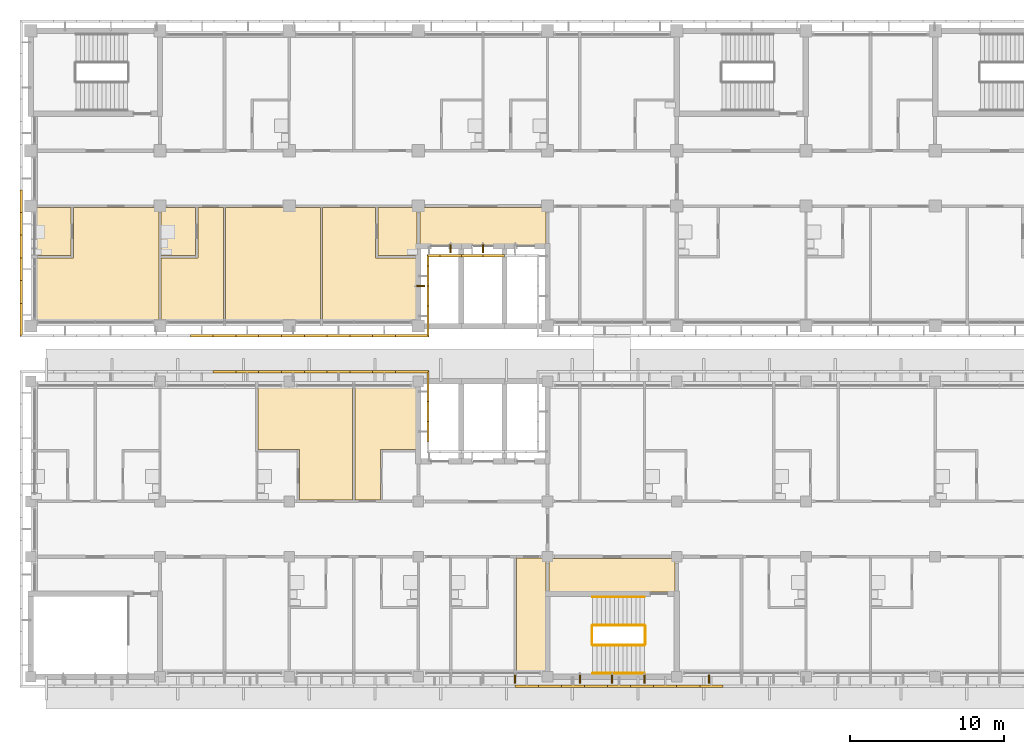
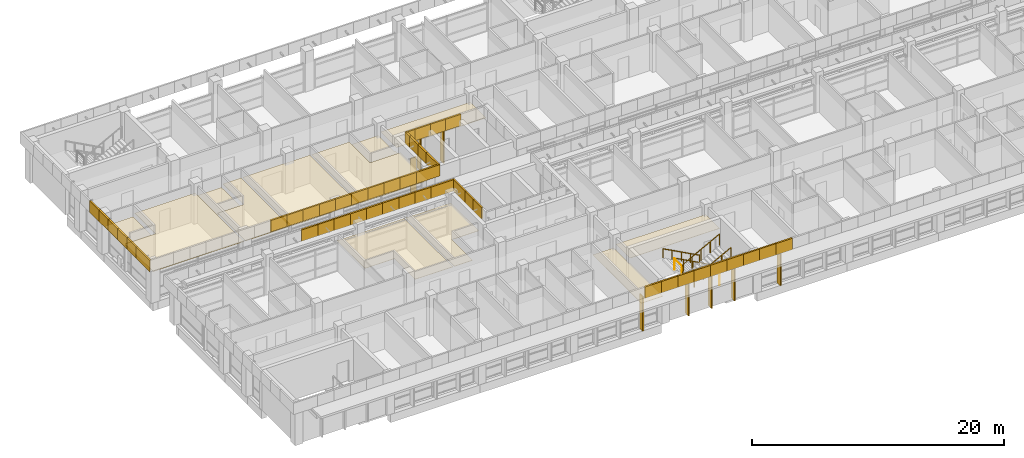
# One storey, part 60 of 71: 57 coverings, 8 shading devices, 6 railings.
"""IFC4 building model written with IfcOpenShell, lengths in metres."""

from ifc_helpers import new_model, si_unit, direction, frame, origin, origin_2d, place, context, subcontext, project, spatial, polyline, rectangle, circle, outline, extrude, material, layer, layer_set, material_profile, profile_set, type_object, element, save


model = new_model("IFC4")

# Units and contexts
model_context = context("Model", 3, precision=1e-05, world=origin(), true_north=direction((0.0, 1.0)))
body_context = subcontext(model_context, "Body", "Model", "MODEL_VIEW")
ifc_project = project(units=[si_unit("LENGTHUNIT", "METRE"), si_unit("AREAUNIT", "SQUARE_METRE"), si_unit("VOLUMEUNIT", "CUBIC_METRE"), si_unit("PLANEANGLEUNIT", "RADIAN"), si_unit("MASSUNIT", "GRAM", prefix="KILO")], contexts=[model_context])

# Site, building, storey
site_placement = place(None, origin())
site = spatial("IfcSite", under=ifc_project, at=site_placement, CompositionType="ELEMENT")
building_placement = place(site_placement, origin())
building = spatial("IfcBuilding", under=site, at=building_placement, Name="Bougainvillea Quay General Hospital", CompositionType="ELEMENT")
storey_placement = place(building_placement, frame((0.0, 0.0, 24.89990234375)))
storey = spatial("IfcBuildingStorey", under=building, at=storey_placement, Name="L05", CompositionType="ELEMENT", Elevation=24.89990234375)

# Coverings
ifc_material_1 = material(Name="Powder-coated aluminium fascia, white", Category="aluminium")
ifc_layer_1 = layer(ifc_material_1, 0.14990234375)
ifc_layer_set_1 = layer_set([ifc_layer_1], Name="Powder-coated aluminium fascia, white")
covering_type_1 = type_object("IfcCoveringType", Name="Aluminium fascia band white 150x1100", PredefinedType="CLADDING", material=ifc_layer_set_1)
covering_1_placement = place(storey_placement, frame((41.449951171875, 149.261474609375, 3.35009765625), z_axis=(0.0, 0.0, 1.0), x_axis=(0.0, -1.0, 0.0)))
element("IfcCovering", 1, at=covering_1_placement, inside=storey, type_object=covering_type_1, Name="Fascia band white e0 104", PredefinedType="CLADDING", context=body_context, shape_type="SweptSolid", body=[
    extrude(outline(polyline([(0.0, 0.0), (1.476806640625, 0.0), (1.476806640625, -0.14990234375), (0.0, -0.14990234375), (0.0, 0.0)])), origin(), (0.0, 0.0, 1.0), 1.10009765625),
])
covering_2_placement = place(storey_placement, frame((41.449951171875, 147.78466796875, 3.35009765625), z_axis=(0.0, 0.0, 1.0), x_axis=(0.0, -1.0, 0.0)))
element("IfcCovering", 2, at=covering_2_placement, inside=storey, type_object=covering_type_1, Name="Fascia band white e0 105", PredefinedType="CLADDING", context=body_context, shape_type="SweptSolid", body=[
    extrude(outline(polyline([(0.0, 0.0), (1.47705078125, 0.0), (1.47705078125, -0.14990234375), (0.0, -0.14990234375), (0.0, 0.0)])), origin(), (0.0, 0.0, 1.0), 1.10009765625),
])
covering_3_placement = place(storey_placement, frame((41.449951171875, 146.3076171875, 3.35009765625), z_axis=(0.0, 0.0, 1.0), x_axis=(0.0, -1.0, 0.0)))
element("IfcCovering", 3, at=covering_3_placement, inside=storey, type_object=covering_type_1, Name="Fascia band white e0 106", PredefinedType="CLADDING", context=body_context, shape_type="SweptSolid", body=[
    extrude(outline(polyline([(0.0, 0.0), (1.476806640625, 0.0), (1.476806640625, -0.14990234375), (0.0, -0.14990234375), (0.0, 0.0)])), origin(), (0.0, 0.0, 1.0), 1.10009765625),
])
covering_4_placement = place(storey_placement, frame((41.449951171875, 144.830810546875, 3.35009765625), z_axis=(0.0, 0.0, 1.0), x_axis=(0.0, -1.0, 0.0)))
element("IfcCovering", 4, at=covering_4_placement, inside=storey, type_object=covering_type_1, Name="Fascia band white e0 107", PredefinedType="CLADDING", context=body_context, shape_type="SweptSolid", body=[
    extrude(outline(polyline([(0.0, 0.0), (1.47705078125, 0.0), (1.47705078125, -0.14990234375), (0.0, -0.14990234375), (0.0, 0.0)])), origin(), (0.0, 0.0, 1.0), 1.10009765625),
])
covering_5_placement = place(storey_placement, frame((41.449951171875, 143.353759765625, 3.35009765625), z_axis=(0.0, 0.0, 1.0), x_axis=(0.0, -1.0, 0.0)))
element("IfcCovering", 5, at=covering_5_placement, inside=storey, type_object=covering_type_1, Name="Fascia band white e0 108", PredefinedType="CLADDING", context=body_context, shape_type="SweptSolid", body=[
    extrude(outline(polyline([(0.0, 0.0), (1.476806640625, 0.0), (1.476806640625, -0.14990234375), (0.0, -0.14990234375), (0.0, 0.0)])), origin(), (0.0, 0.0, 1.0), 1.10009765625),
])
covering_6_placement = place(storey_placement, frame((41.449951171875, 141.876953125, 3.35009765625), z_axis=(0.0, 0.0, 1.0), x_axis=(0.0, -1.0, 0.0)))
element("IfcCovering", 6, at=covering_6_placement, inside=storey, type_object=covering_type_1, Name="Fascia band white e0 109", PredefinedType="CLADDING", context=body_context, shape_type="SweptSolid", body=[
    extrude(outline(polyline([(0.0, 0.0), (2.02685546875, 0.0), (2.177001953125, -0.14990234375), (0.0, -0.14990234375), (0.0, 0.0)])), origin(), (0.0, 0.0, 1.0), 1.10009765625),
])
covering_7_placement = place(storey_placement, frame((52.37646484375, 139.85009765625, 3.35009765625), z_axis=(0.0, 0.0, 1.0), x_axis=(1.0, 0.0, 0.0)))
element("IfcCovering", 7, at=covering_7_placement, inside=storey, type_object=covering_type_1, Name="Fascia band white e0 117", PredefinedType="CLADDING", context=body_context, shape_type="SweptSolid", body=[
    extrude(outline(polyline([(0.0, 0.0), (1.482421875, 0.0), (1.482421875, -0.150146484375), (0.0, -0.150146484375), (0.0, 0.0)])), origin(), (0.0, 0.0, 1.0), 1.10009765625),
])
covering_8_placement = place(storey_placement, frame((53.85888671875, 139.85009765625, 3.35009765625), z_axis=(0.0, 0.0, 1.0), x_axis=(1.0, 0.0, 0.0)))
element("IfcCovering", 8, at=covering_8_placement, inside=storey, type_object=covering_type_1, Name="Fascia band white e0 118", PredefinedType="CLADDING", context=body_context, shape_type="SweptSolid", body=[
    extrude(outline(polyline([(0.0, 0.0), (1.482177734375, 0.0), (1.482177734375, -0.150146484375), (0.0, -0.150146484375), (0.0, 0.0)])), origin(), (0.0, 0.0, 1.0), 1.10009765625),
])
for number, where, z_axis, x_axis, name in (
    (9, (55.341064453125, 139.85009765625, 3.35009765625), (0.0, 0.0, 1.0), (1.0, 0.0, 0.0), "Fascia band white e0 119"),
    (10, (56.823486328125, 139.85009765625, 3.35009765625), (0.0, 0.0, 1.0), (1.0, 0.0, 0.0), "Fascia band white e0 120"),
    (11, (58.305908203125, 139.85009765625, 3.35009765625), (0.0, 0.0, 1.0), (1.0, 0.0, 0.0), "Fascia band white e0 121"),
):
    element("IfcCovering", number, at=place(storey_placement, frame(where, z_axis=z_axis, x_axis=x_axis)), inside=storey, type_object=covering_type_1, Name=name, PredefinedType="CLADDING", context=body_context, shape_type="SweptSolid", body=[
        extrude(outline(polyline([(0.0, 0.0), (1.482421875, 0.0), (1.482421875, -0.150146484375), (0.0, -0.150146484375), (0.0, 0.0)])), origin(), (0.0, 0.0, 1.0), 1.10009765625),
    ])
covering_9_placement = place(storey_placement, frame((59.788330078125, 139.85009765625, 3.35009765625), z_axis=(0.0, 0.0, 1.0), x_axis=(1.0, 0.0, 0.0)))
element("IfcCovering", 12, at=covering_9_placement, inside=storey, type_object=covering_type_1, Name="Fascia band white e0 122", PredefinedType="CLADDING", context=body_context, shape_type="SweptSolid", body=[
    extrude(outline(polyline([(0.0, 0.0), (1.482177734375, 0.0), (1.482177734375, -0.150146484375), (0.0, -0.150146484375), (0.0, 0.0)])), origin(), (0.0, 0.0, 1.0), 1.10009765625),
])
for number, where, z_axis, x_axis, name in (
    (13, (61.2705078125, 139.85009765625, 3.35009765625), (0.0, 0.0, 1.0), (1.0, 0.0, 0.0), "Fascia band white e0 123"),
    (14, (62.7529296875, 139.85009765625, 3.35009765625), (0.0, 0.0, 1.0), (1.0, 0.0, 0.0), "Fascia band white e0 124"),
):
    element("IfcCovering", number, at=place(storey_placement, frame(where, z_axis=z_axis, x_axis=x_axis)), inside=storey, type_object=covering_type_1, Name=name, PredefinedType="CLADDING", context=body_context, shape_type="SweptSolid", body=[
        extrude(outline(polyline([(0.0, 0.0), (1.482421875, 0.0), (1.482421875, -0.150146484375), (0.0, -0.150146484375), (0.0, 0.0)])), origin(), (0.0, 0.0, 1.0), 1.10009765625),
    ])
covering_10_placement = place(storey_placement, frame((64.2353515625, 139.85009765625, 3.35009765625), z_axis=(0.0, 0.0, 1.0), x_axis=(1.0, 0.0, 0.0)))
element("IfcCovering", 15, at=covering_10_placement, inside=storey, type_object=covering_type_1, Name="Fascia band white e0 125", PredefinedType="CLADDING", context=body_context, shape_type="SweptSolid", body=[
    extrude(outline(polyline([(0.0, 0.0), (1.482177734375, 0.0), (1.482177734375, -0.150146484375), (0.0, -0.150146484375), (0.0, 0.0)])), origin(), (0.0, 0.0, 1.0), 1.10009765625),
])
covering_11_placement = place(storey_placement, frame((65.717529296875, 139.85009765625, 3.35009765625), z_axis=(0.0, 0.0, 1.0), x_axis=(1.0, 0.0, 0.0)))
element("IfcCovering", 16, at=covering_11_placement, inside=storey, type_object=covering_type_1, Name="Fascia band white e0 126", PredefinedType="CLADDING", context=body_context, shape_type="SweptSolid", body=[
    extrude(outline(polyline([(0.0, 0.0), (2.032470703125, 0.0), (2.182373046875, -0.150146484375), (0.0, -0.150146484375), (0.0, 0.0)])), origin(), (0.0, 0.0, 1.0), 1.10009765625),
])
covering_12_placement = place(storey_placement, frame((67.75, 139.85009765625, 3.35009765625), z_axis=(0.0, 0.0, 1.0), x_axis=(0.0, 1.0, 0.0)))
element("IfcCovering", 17, at=covering_12_placement, inside=storey, type_object=covering_type_1, Name="Fascia band white e0 127", PredefinedType="CLADDING", context=body_context, shape_type="SweptSolid", body=[
    extrude(outline(polyline([(0.0, 0.0), (1.849853515625, 0.0), (1.849853515625, -0.14990234375), (-0.150146484375, -0.14990234375), (0.0, 0.0)])), origin(), (0.0, 0.0, 1.0), 1.10009765625),
])
for number, where, z_axis, x_axis, name in (
    (18, (67.75, 141.699951171875, 3.35009765625), (0.0, 0.0, 1.0), (0.0, 1.0, 0.0), "Fascia band white e0 128"),
    (19, (67.75, 143.0, 3.35009765625), (0.0, 0.0, 1.0), (0.0, 1.0, 0.0), "Fascia band white e0 129"),
):
    element("IfcCovering", number, at=place(storey_placement, frame(where, z_axis=z_axis, x_axis=x_axis)), inside=storey, type_object=covering_type_1, Name=name, PredefinedType="CLADDING", context=body_context, shape_type="SweptSolid", body=[
        extrude(outline(polyline([(0.0, 0.0), (1.300048828125, 0.0), (1.300048828125, -0.14990234375), (0.0, -0.14990234375), (0.0, 0.0)])), origin(), (0.0, 0.0, 1.0), 1.10009765625),
    ])
covering_13_placement = place(storey_placement, frame((67.75, 144.300048828125, 3.35009765625), z_axis=(0.0, 0.0, 1.0), x_axis=(0.0, 1.0, 0.0)))
element("IfcCovering", 20, at=covering_13_placement, inside=storey, type_object=covering_type_1, Name="Fascia band white e0 130", PredefinedType="CLADDING", context=body_context, shape_type="SweptSolid", body=[
    extrude(outline(polyline([(0.0, 0.0), (0.75, 0.0), (0.599853515625, -0.14990234375), (0.0, -0.14990234375), (0.0, 0.0)])), origin(), (0.0, 0.0, 1.0), 1.10009765625),
])
covering_14_placement = place(storey_placement, frame((67.75, 145.050048828125, 3.35009765625), z_axis=(0.0, 0.0, 1.0), x_axis=(1.0, 0.0, 0.0)))
element("IfcCovering", 21, at=covering_14_placement, inside=storey, type_object=covering_type_1, Name="Fascia band white e0 131", PredefinedType="CLADDING", context=body_context, shape_type="SweptSolid", body=[
    extrude(outline(polyline([(0.0, 0.0), (0.85009765625, 0.0), (0.85009765625, -0.150146484375), (0.14990234375, -0.150146484375), (0.0, 0.0)])), origin(), (0.0, 0.0, 1.0), 1.10009765625),
])
for number, where, z_axis, x_axis, name in (
    (22, (68.60009765625, 145.050048828125, 3.35009765625), (0.0, 0.0, 1.0), (1.0, 0.0, 0.0), "Fascia band white e0 132"),
    (23, (70.0, 145.050048828125, 3.35009765625), (0.0, 0.0, 1.0), (1.0, 0.0, 0.0), "Fascia band white e0 133"),
):
    element("IfcCovering", number, at=place(storey_placement, frame(where, z_axis=z_axis, x_axis=x_axis)), inside=storey, type_object=covering_type_1, Name=name, PredefinedType="CLADDING", context=body_context, shape_type="SweptSolid", body=[
        extrude(outline(polyline([(0.0, 0.0), (1.39990234375, 0.0), (1.39990234375, -0.150146484375), (0.0, -0.150146484375), (0.0, 0.0)])), origin(), (0.0, 0.0, 1.0), 1.10009765625),
    ])
covering_15_placement = place(storey_placement, frame((71.39990234375, 145.050048828125, 3.35009765625), z_axis=(0.0, 0.0, 1.0), x_axis=(1.0, 0.0, 0.0)))
element("IfcCovering", 24, at=covering_15_placement, inside=storey, type_object=covering_type_1, Name="Fascia band white e0 134", PredefinedType="CLADDING", context=body_context, shape_type="SweptSolid", body=[
    extrude(outline(polyline([(0.0, 0.0), (1.400146484375, 0.0), (1.400146484375, -0.150146484375), (0.0, -0.150146484375), (0.0, 0.0)])), origin(), (0.0, 0.0, 1.0), 1.10009765625),
])
for number, where, z_axis, x_axis, name in (
    (25, (73.5, 117.050048828125, 3.35009765625), (0.0, 0.0, 1.0), (1.0, 0.0, 0.0), "Fascia band white e0 35"),
    (26, (75.0, 117.050048828125, 3.35009765625), (0.0, 0.0, 1.0), (1.0, 0.0, 0.0), "Fascia band white e0 36"),
    (27, (76.5, 117.050048828125, 3.35009765625), (0.0, 0.0, 1.0), (1.0, 0.0, 0.0), "Fascia band white e0 37"),
    (28, (78.0, 117.050048828125, 3.35009765625), (0.0, 0.0, 1.0), (1.0, 0.0, 0.0), "Fascia band white e0 38"),
    (29, (79.5, 117.050048828125, 3.35009765625), (0.0, 0.0, 1.0), (1.0, 0.0, 0.0), "Fascia band white e0 39"),
    (30, (81.0, 117.050048828125, 3.35009765625), (0.0, 0.0, 1.0), (1.0, 0.0, 0.0), "Fascia band white e0 40"),
    (31, (82.5, 117.050048828125, 3.35009765625), (0.0, 0.0, 1.0), (1.0, 0.0, 0.0), "Fascia band white e0 41"),
    (32, (84.0, 117.050048828125, 3.35009765625), (0.0, 0.0, 1.0), (1.0, 0.0, 0.0), "Fascia band white e0 42"),
    (33, (85.5, 117.050048828125, 3.35009765625), (0.0, 0.0, 1.0), (1.0, 0.0, 0.0), "Fascia band white e0 43"),
):
    element("IfcCovering", number, at=place(storey_placement, frame(where, z_axis=z_axis, x_axis=x_axis)), inside=storey, type_object=covering_type_1, Name=name, PredefinedType="CLADDING", context=body_context, shape_type="SweptSolid", body=[
        extrude(outline(polyline([(0.0, 0.0), (1.5, 0.0), (1.5, -0.150146484375), (0.0, -0.150146484375), (0.0, 0.0)])), origin(), (0.0, 0.0, 1.0), 1.10009765625),
    ])
for number, where, z_axis, x_axis, name in (
    (34, (67.75, 132.89990234375, 3.35009765625), (0.0, 0.0, 1.0), (0.0, 1.0, 0.0), "Fascia band white e0 193"),
    (35, (67.75, 134.199951171875, 3.35009765625), (0.0, 0.0, 1.0), (0.0, 1.0, 0.0), "Fascia band white e0 194"),
):
    element("IfcCovering", number, at=place(storey_placement, frame(where, z_axis=z_axis, x_axis=x_axis)), inside=storey, type_object=covering_type_1, Name=name, PredefinedType="CLADDING", context=body_context, shape_type="SweptSolid", body=[
        extrude(outline(polyline([(0.0, 0.0), (1.300048828125, 0.0), (1.300048828125, -0.14990234375), (0.0, -0.14990234375), (0.0, 0.0)])), origin(), (0.0, 0.0, 1.0), 1.10009765625),
    ])
covering_16_placement = place(storey_placement, frame((67.75, 135.5, 3.35009765625), z_axis=(0.0, 0.0, 1.0), x_axis=(0.0, 1.0, 0.0)))
element("IfcCovering", 36, at=covering_16_placement, inside=storey, type_object=covering_type_1, Name="Fascia band white e0 195", PredefinedType="CLADDING", context=body_context, shape_type="SweptSolid", body=[
    extrude(outline(polyline([(0.0, 0.0), (1.85009765625, 0.0), (2.0, -0.14990234375), (0.0, -0.14990234375), (0.0, 0.0)])), origin(), (0.0, 0.0, 1.0), 1.10009765625),
])
covering_17_placement = place(storey_placement, frame((67.75, 137.35009765625, 3.35009765625), z_axis=(0.0, 0.0, 1.0), x_axis=(-1.0, 0.0, 0.0)))
element("IfcCovering", 37, at=covering_17_placement, inside=storey, type_object=covering_type_1, Name="Fascia band white e0 196", PredefinedType="CLADDING", context=body_context, shape_type="SweptSolid", body=[
    extrude(outline(polyline([(0.0, 0.0), (2.032470703125, 0.0), (2.032470703125, -0.14990234375), (-0.14990234375, -0.14990234375), (0.0, 0.0)])), origin(), (0.0, 0.0, 1.0), 1.10009765625),
])
covering_18_placement = place(storey_placement, frame((65.717529296875, 137.35009765625, 3.35009765625), z_axis=(0.0, 0.0, 1.0), x_axis=(-1.0, 0.0, 0.0)))
element("IfcCovering", 38, at=covering_18_placement, inside=storey, type_object=covering_type_1, Name="Fascia band white e0 197", PredefinedType="CLADDING", context=body_context, shape_type="SweptSolid", body=[
    extrude(outline(polyline([(0.0, 0.0), (1.482177734375, 0.0), (1.482177734375, -0.14990234375), (0.0, -0.14990234375), (0.0, 0.0)])), origin(), (0.0, 0.0, 1.0), 1.10009765625),
])
for number, where, z_axis, x_axis, name in (
    (39, (64.2353515625, 137.35009765625, 3.35009765625), (0.0, 0.0, 1.0), (-1.0, 0.0, 0.0), "Fascia band white e0 198"),
    (40, (62.7529296875, 137.35009765625, 3.35009765625), (0.0, 0.0, 1.0), (-1.0, 0.0, 0.0), "Fascia band white e0 199"),
):
    element("IfcCovering", number, at=place(storey_placement, frame(where, z_axis=z_axis, x_axis=x_axis)), inside=storey, type_object=covering_type_1, Name=name, PredefinedType="CLADDING", context=body_context, shape_type="SweptSolid", body=[
        extrude(outline(polyline([(0.0, 0.0), (1.482421875, 0.0), (1.482421875, -0.14990234375), (0.0, -0.14990234375), (0.0, 0.0)])), origin(), (0.0, 0.0, 1.0), 1.10009765625),
    ])
covering_19_placement = place(storey_placement, frame((61.2705078125, 137.35009765625, 3.35009765625), z_axis=(0.0, 0.0, 1.0), x_axis=(-1.0, 0.0, 0.0)))
element("IfcCovering", 41, at=covering_19_placement, inside=storey, type_object=covering_type_1, Name="Fascia band white e0 200", PredefinedType="CLADDING", context=body_context, shape_type="SweptSolid", body=[
    extrude(outline(polyline([(0.0, 0.0), (1.482177734375, 0.0), (1.482177734375, -0.14990234375), (0.0, -0.14990234375), (0.0, 0.0)])), origin(), (0.0, 0.0, 1.0), 1.10009765625),
])
for number, where, z_axis, x_axis, name in (
    (42, (59.788330078125, 137.35009765625, 3.35009765625), (0.0, 0.0, 1.0), (-1.0, 0.0, 0.0), "Fascia band white e0 201"),
    (43, (58.305908203125, 137.35009765625, 3.35009765625), (0.0, 0.0, 1.0), (-1.0, 0.0, 0.0), "Fascia band white e0 202"),
    (44, (56.823486328125, 137.35009765625, 3.35009765625), (0.0, 0.0, 1.0), (-1.0, 0.0, 0.0), "Fascia band white e0 203"),
):
    element("IfcCovering", number, at=place(storey_placement, frame(where, z_axis=z_axis, x_axis=x_axis)), inside=storey, type_object=covering_type_1, Name=name, PredefinedType="CLADDING", context=body_context, shape_type="SweptSolid", body=[
        extrude(outline(polyline([(0.0, 0.0), (1.482421875, 0.0), (1.482421875, -0.14990234375), (0.0, -0.14990234375), (0.0, 0.0)])), origin(), (0.0, 0.0, 1.0), 1.10009765625),
    ])
covering_20_placement = place(storey_placement, frame((55.341064453125, 137.35009765625, 3.35009765625), z_axis=(0.0, 0.0, 1.0), x_axis=(-1.0, 0.0, 0.0)))
element("IfcCovering", 45, at=covering_20_placement, inside=storey, type_object=covering_type_1, Name="Fascia band white e0 204", PredefinedType="CLADDING", context=body_context, shape_type="SweptSolid", body=[
    extrude(outline(polyline([(0.0, 0.0), (1.482177734375, 0.0), (1.482177734375, -0.14990234375), (0.0, -0.14990234375), (0.0, 0.0)])), origin(), (0.0, 0.0, 1.0), 1.10009765625),
])

# Railings
ifc_material_2 = material(Name="Stainless steel 304 balustrade", Category="steel")
railing_type_1 = type_object("IfcRailingType", Name="Stair guard 1100", PredefinedType="GUARDRAIL", material=ifc_material_2)
railing_1_placement = place(storey_placement, frame((81.89990234375, 120.949951171875, 0.150146484375)))
element("IfcRailing", 46, at=railing_1_placement, inside=storey, type_object=railing_type_1, Name="L05 ST-B2 stair guard 1", PredefinedType="GUARDRAIL", context=body_context, shape_type="SweptSolid", body=[
    extrude(circle(Radius=0.02392578125, at=origin_2d()), frame((0.0, 0.0, 1.076171875), z_axis=(-0.881466638993, 0.0, 0.472246296272), x_axis=(0.0, -1.0, 0.0)), (0.0, 0.0, 1.0), 3.811767578125),
    extrude(circle(Radius=0.02099609375, at=origin_2d()), origin(), (0.0, 0.0, 1.0), 1.052001953125),
    extrude(circle(Radius=0.02099609375, at=origin_2d()), frame((-0.83984375, 0.0, 0.449951171875)), (0.0, 0.0, 1.0), 1.052001953125),
    extrude(circle(Radius=0.02099609375, at=origin_2d()), frame((-1.679931640625, 0.0, 0.89990234375)), (0.0, 0.0, 1.0), 1.052001953125),
    extrude(circle(Radius=0.02099609375, at=origin_2d()), frame((-2.52001953125, 0.0, 1.35009765625)), (0.0, 0.0, 1.0), 1.052001953125),
    extrude(circle(Radius=0.02099609375, at=origin_2d()), frame((-3.35986328125, 0.0, 1.800048828125)), (0.0, 0.0, 1.0), 1.052001953125),
])
railing_2_placement = place(storey_placement, frame((78.489990234375, 120.89990234375, 1.9501953125)))
element("IfcRailing", 47, at=railing_2_placement, inside=storey, type_object=railing_type_1, Name="L05 ST-B2 stair guard 2", PredefinedType="GUARDRAIL", context=body_context, shape_type="SweptSolid", body=[
    extrude(circle(Radius=0.02392578125, at=origin_2d()), frame((0.0, 0.0, 1.076171875), z_axis=(0.0, -1.0, 0.0), x_axis=(1.0, 0.0, 0.0)), (0.0, 0.0, 1.0), 1.199951171875),
    extrude(circle(Radius=0.02099609375, at=origin_2d()), origin(), (0.0, 0.0, 1.0), 1.052001953125),
    extrude(circle(Radius=0.02099609375, at=origin_2d()), frame((0.0, -1.199951171875, 0.0)), (0.0, 0.0, 1.0), 1.052001953125),
])
railing_3_placement = place(storey_placement, frame((78.5400390625, 119.64990234375, 2.10009765625)))
element("IfcRailing", 48, at=railing_3_placement, inside=storey, type_object=railing_type_1, Name="L05 ST-B2 stair guard 3", PredefinedType="GUARDRAIL", context=body_context, shape_type="SweptSolid", body=[
    extrude(circle(Radius=0.02392578125, at=origin_2d()), frame((0.0, 0.0, 1.076171875), z_axis=(0.881466638993, 0.0, 0.472246296272), x_axis=(0.0, 1.0, 0.0)), (0.0, 0.0, 1.0), 3.811767578125),
    extrude(circle(Radius=0.02099609375, at=origin_2d()), origin(), (0.0, 0.0, 1.0), 1.052001953125),
    extrude(circle(Radius=0.02099609375, at=origin_2d()), frame((0.83984375, 0.0, 0.449951171875)), (0.0, 0.0, 1.0), 1.052001953125),
    extrude(circle(Radius=0.02099609375, at=origin_2d()), frame((1.679931640625, 0.0, 0.89990234375)), (0.0, 0.0, 1.0), 1.052001953125),
    extrude(circle(Radius=0.02099609375, at=origin_2d()), frame((2.52001953125, 0.0, 1.35009765625)), (0.0, 0.0, 1.0), 1.052001953125),
    extrude(circle(Radius=0.02099609375, at=origin_2d()), frame((3.35986328125, 0.0, 1.800048828125)), (0.0, 0.0, 1.0), 1.052001953125),
])
railing_4_placement = place(storey_placement, frame((81.949951171875, 120.89990234375, 0.0)))
element("IfcRailing", 49, at=railing_4_placement, inside=storey, type_object=railing_type_1, Name="L05 ST-B2 stair guard 4", PredefinedType="GUARDRAIL", context=body_context, shape_type="SweptSolid", body=[
    extrude(circle(Radius=0.02392578125, at=origin_2d()), frame((0.0, 0.0, 1.076171875), z_axis=(0.0, -1.0, 0.0), x_axis=(1.0, 0.0, 0.0)), (0.0, 0.0, 1.0), 1.199951171875),
    extrude(circle(Radius=0.02099609375, at=origin_2d()), origin(), (0.0, 0.0, 1.0), 1.052001953125),
    extrude(circle(Radius=0.02099609375, at=origin_2d()), frame((0.0, -1.199951171875, 0.0)), (0.0, 0.0, 1.0), 1.052001953125),
])
ifc_material_3 = material(Name="Stainless steel 304 handrail", Category="steel")
railing_type_2 = type_object("IfcRailingType", Name="Stair handrail 900", PredefinedType="HANDRAIL", material=ifc_material_3)
railing_5_placement = place(storey_placement, frame((81.89990234375, 122.77490234375, 0.150146484375)))
element("IfcRailing", 50, at=railing_5_placement, inside=storey, type_object=railing_type_2, Name="L05 ST-B2 stair handrail 1", PredefinedType="HANDRAIL", context=body_context, shape_type="SweptSolid", body=[
    extrude(circle(Radius=0.02392578125, at=origin_2d()), frame((0.0, 0.0, 0.8759765625), z_axis=(-0.881466638993, 0.0, 0.472246296272), x_axis=(0.0, -1.0, 0.0)), (0.0, 0.0, 1.0), 3.811767578125),
    extrude(circle(Radius=0.02099609375, at=origin_2d()), origin(), (0.0, 0.0, 1.0), 0.851806640625),
    extrude(circle(Radius=0.02099609375, at=origin_2d()), frame((-0.83984375, 0.0, 0.449951171875)), (0.0, 0.0, 1.0), 0.851806640625),
    extrude(circle(Radius=0.02099609375, at=origin_2d()), frame((-1.679931640625, 0.0, 0.89990234375)), (0.0, 0.0, 1.0), 0.851806640625),
    extrude(circle(Radius=0.02099609375, at=origin_2d()), frame((-2.52001953125, 0.0, 1.35009765625)), (0.0, 0.0, 1.0), 0.851806640625),
    extrude(circle(Radius=0.02099609375, at=origin_2d()), frame((-3.35986328125, 0.0, 1.800048828125)), (0.0, 0.0, 1.0), 0.851806640625),
])
railing_6_placement = place(storey_placement, frame((78.5400390625, 117.824951171875, 2.10009765625)))
element("IfcRailing", 51, at=railing_6_placement, inside=storey, type_object=railing_type_2, Name="L05 ST-B2 stair handrail 2", PredefinedType="HANDRAIL", context=body_context, shape_type="SweptSolid", body=[
    extrude(circle(Radius=0.02392578125, at=origin_2d()), frame((0.0, 0.0, 0.8759765625), z_axis=(0.881466638993, 0.0, 0.472246296272), x_axis=(0.0, 1.0, 0.0)), (0.0, 0.0, 1.0), 3.811767578125),
    extrude(circle(Radius=0.02099609375, at=origin_2d()), origin(), (0.0, 0.0, 1.0), 0.851806640625),
    extrude(circle(Radius=0.02099609375, at=origin_2d()), frame((0.83984375, 0.0, 0.449951171875)), (0.0, 0.0, 1.0), 0.851806640625),
    extrude(circle(Radius=0.02099609375, at=origin_2d()), frame((1.679931640625, 0.0, 0.89990234375)), (0.0, 0.0, 1.0), 0.851806640625),
    extrude(circle(Radius=0.02099609375, at=origin_2d()), frame((2.52001953125, 0.0, 1.35009765625)), (0.0, 0.0, 1.0), 0.851806640625),
    extrude(circle(Radius=0.02099609375, at=origin_2d()), frame((3.35986328125, 0.0, 1.800048828125)), (0.0, 0.0, 1.0), 0.851806640625),
])

# Coverings
ifc_material_4 = material(Name="Mineral fibre ceiling tile")
ifc_layer_2 = layer(ifc_material_4, 0.030029296875)
ifc_layer_set_2 = layer_set([ifc_layer_2], Name="Mineral fibre ceiling tile")
covering_type_2 = type_object("IfcCoveringType", Name="Suspended ceiling mineral fibre tile", PredefinedType="CEILING", material=ifc_layer_set_2)
covering_21_placement = place(storey_placement, frame((0.0, 0.0, 2.7001953125)))
element("IfcCovering", 52, at=covering_21_placement, inside=storey, type_object=covering_type_2, Name="Ceiling Lift Lobby LB-A1 (Fire-fighting)", PredefinedType="CEILING", context=body_context, shape_type="SweptSolid", body=[
    extrude(outline(polyline([(75.5, 145.60009765625), (75.5, 148.10009765625), (67.300048828125, 148.10009765625), (67.300048828125, 145.60009765625), (75.5, 145.60009765625)])), origin(), (0.0, 0.0, 1.0), 0.02978515625),
])
covering_22_placement = place(storey_placement, frame((0.0, 0.0, 2.7001953125)))
element("IfcCovering", 53, at=covering_22_placement, inside=storey, type_object=covering_type_2, Name="Ceiling Smoke-proof Vestibule ST-B2", PredefinedType="CEILING", context=body_context, shape_type="SweptSolid", body=[
    extrude(outline(polyline([(83.89990234375, 123.10009765625), (83.89990234375, 125.300048828125), (75.699951171875, 125.300048828125), (75.699951171875, 123.10009765625), (83.89990234375, 123.10009765625)])), origin(), (0.0, 0.0, 1.0), 0.02978515625),
])
covering_23_placement = place(storey_placement, frame((0.0, 0.0, 2.7001953125)))
element("IfcCovering", 54, at=covering_23_placement, inside=storey, type_object=covering_type_2, Name="Ceiling Four-bed Ward Room 05A01", PredefinedType="CEILING", context=body_context, shape_type="SweptSolid", body=[
    extrude(outline(polyline([(50.324951171875, 140.39990234375), (50.324951171875, 148.125), (44.77490234375, 148.125), (44.77490234375, 144.824951171875), (42.0, 144.824951171875), (42.0, 140.39990234375), (50.324951171875, 140.39990234375)])), origin(), (0.0, 0.0, 1.0), 0.02978515625),
])
covering_24_placement = place(storey_placement, frame((0.0, 0.0, 2.400146484375)))
element("IfcCovering", 55, at=covering_24_placement, inside=storey, type_object=covering_type_2, Name="Ceiling En-suite 05A01", PredefinedType="CEILING", context=body_context, shape_type="SweptSolid", body=[
    extrude(outline(polyline([(42.0, 144.97509765625), (44.625, 144.97509765625), (44.625, 148.125), (42.0, 148.125), (42.0, 144.97509765625)])), origin(), (0.0, 0.0, 1.0), 0.030029296875),
])
covering_25_placement = place(storey_placement, frame((0.0, 0.0, 2.7001953125)))
element("IfcCovering", 56, at=covering_25_placement, inside=storey, type_object=covering_type_2, Name="Ceiling Patient Room 05A02", PredefinedType="CEILING", context=body_context, shape_type="SweptSolid", body=[
    extrude(outline(polyline([(54.52490234375, 140.39990234375), (54.52490234375, 148.125), (52.875, 148.125), (52.875, 144.824951171875), (50.47509765625, 144.824951171875), (50.47509765625, 140.39990234375), (54.52490234375, 140.39990234375)])), origin(), (0.0, 0.0, 1.0), 0.02978515625),
])
covering_26_placement = place(storey_placement, frame((0.0, 0.0, 2.400146484375)))
element("IfcCovering", 57, at=covering_26_placement, inside=storey, type_object=covering_type_2, Name="Ceiling En-suite 05A02", PredefinedType="CEILING", context=body_context, shape_type="SweptSolid", body=[
    extrude(outline(polyline([(52.72509765625, 148.125), (50.47509765625, 148.125), (50.47509765625, 144.97509765625), (52.72509765625, 144.97509765625), (52.72509765625, 148.125)])), origin(), (0.0, 0.0, 1.0), 0.030029296875),
])
covering_27_placement = place(storey_placement, frame((0.0, 0.0, 2.7001953125)))
element("IfcCovering", 58, at=covering_27_placement, inside=storey, type_object=covering_type_2, Name="Ceiling Nurses' Station 05A03", PredefinedType="CEILING", context=body_context, shape_type="SweptSolid", body=[
    extrude(outline(polyline([(60.824951171875, 140.39990234375), (60.824951171875, 148.125), (54.675048828125, 148.125), (54.675048828125, 140.39990234375), (60.824951171875, 140.39990234375)])), origin(), (0.0, 0.0, 1.0), 0.02978515625),
])
covering_28_placement = place(storey_placement, frame((0.0, 0.0, 2.7001953125)))
element("IfcCovering", 59, at=covering_28_placement, inside=storey, type_object=covering_type_2, Name="Ceiling Two-bed Patient Room 05A04", PredefinedType="CEILING", context=body_context, shape_type="SweptSolid", body=[
    extrude(outline(polyline([(67.199951171875, 140.39990234375), (67.199951171875, 144.824951171875), (64.425048828125, 144.824951171875), (64.425048828125, 148.125), (60.97509765625, 148.125), (60.97509765625, 140.39990234375), (67.199951171875, 140.39990234375)])), origin(), (0.0, 0.0, 1.0), 0.02978515625),
])
covering_29_placement = place(storey_placement, frame((0.0, 0.0, 2.400146484375)))
element("IfcCovering", 60, at=covering_29_placement, inside=storey, type_object=covering_type_2, Name="Ceiling En-suite 05A04", PredefinedType="CEILING", context=body_context, shape_type="SweptSolid", body=[
    extrude(outline(polyline([(67.199951171875, 145.60009765625), (67.10009765625, 145.60009765625), (67.10009765625, 148.125), (64.574951171875, 148.125), (64.574951171875, 144.97509765625), (67.199951171875, 144.97509765625), (67.199951171875, 145.60009765625)])), origin(), (0.0, 0.0, 1.0), 0.030029296875),
])
covering_30_placement = place(storey_placement, frame((0.0, 0.0, 2.7001953125)))
element("IfcCovering", 61, at=covering_30_placement, inside=storey, type_object=covering_type_2, Name="Ceiling Two-bed Patient Room 05B04", PredefinedType="CEILING", context=body_context, shape_type="SweptSolid", body=[
    extrude(outline(polyline([(56.77490234375, 136.800048828125), (56.77490234375, 132.375), (59.47509765625, 132.375), (59.47509765625, 129.074951171875), (62.925048828125, 129.074951171875), (62.925048828125, 136.800048828125), (56.77490234375, 136.800048828125)])), origin(), (0.0, 0.0, 1.0), 0.02978515625),
])
covering_31_placement = place(storey_placement, frame((0.0, 0.0, 2.7001953125)))
element("IfcCovering", 62, at=covering_31_placement, inside=storey, type_object=covering_type_2, Name="Ceiling Patient Room 05B05", PredefinedType="CEILING", context=body_context, shape_type="SweptSolid", body=[
    extrude(outline(polyline([(63.074951171875, 136.800048828125), (63.074951171875, 129.074951171875), (64.72509765625, 129.074951171875), (64.72509765625, 132.375), (67.199951171875, 132.375), (67.199951171875, 136.800048828125), (63.074951171875, 136.800048828125)])), origin(), (0.0, 0.0, 1.0), 0.02978515625),
])
covering_32_placement = place(storey_placement, frame((0.0, 0.0, 2.400146484375)))
element("IfcCovering", 63, at=covering_32_placement, inside=storey, type_object=covering_type_2, Name="Ceiling Cleaners' Store 05B11", PredefinedType="CEILING", context=body_context, shape_type="SweptSolid", body=[
    extrude(outline(polyline([(75.550048828125, 117.60009765625), (75.550048828125, 122.89990234375), (75.5, 122.89990234375), (75.5, 125.324951171875), (73.574951171875, 125.324951171875), (73.574951171875, 117.60009765625), (75.550048828125, 117.60009765625)])), origin(), (0.0, 0.0, 1.0), 0.030029296875),
])

# Shading devices
ifc_material_5 = material(Name="Powder-coated aluminium fin, white", Category="aluminium")
ifc_material_profile = material_profile(ifc_material_5, rectangle(XDim=0.550048828125, YDim=0.10009765625, at=origin_2d()))
ifc_profile_set = profile_set([ifc_material_profile], Name="Powder-coated aluminium fin, white")
shading_device_type = type_object("IfcShadingDeviceType", Name="Vertical fin 550x100", PredefinedType="USERDEFINED", material=ifc_profile_set)
for number, where, z_axis, x_axis, name in (
    (64, (67.344970703125, 143.0, 0.0), (0.0, 0.0, 1.0), (1.0, 0.0, 0.0), "Vertical fin V5A L05 03.1"),
    (65, (71.39990234375, 145.455078125, 0.0), (0.0, 0.0, 1.0), (0.0, -1.0, 0.0), "Vertical fin V5A L05 04.2"),
    (66, (69.300048828125, 145.455078125, 0.0), (0.0, 0.0, 1.0), (0.0, -1.0, 0.0), "Vertical fin V5A L05 04.3"),
    (67, (86.10009765625, 117.455078125, 0.0), (0.0, 0.0, 1.0), (0.0, -1.0, 0.0), "Vertical fin V5B L05 01.30"),
    (68, (81.89990234375, 117.455078125, 0.0), (0.0, 0.0, 1.0), (0.0, -1.0, 0.0), "Vertical fin V5B L05 01.31"),
    (69, (79.800048828125, 117.455078125, 0.0), (0.0, 0.0, 1.0), (0.0, -1.0, 0.0), "Vertical fin V5B L05 01.32"),
    (70, (77.699951171875, 117.455078125, 0.0), (0.0, 0.0, 1.0), (0.0, -1.0, 0.0), "Vertical fin V5B L05 01.33"),
    (71, (73.5, 117.455078125, 0.0), (0.0, 0.0, 1.0), (0.0, -1.0, 0.0), "Vertical fin V5B L05 01.34"),
):
    element("IfcShadingDevice", number, at=place(storey_placement, frame(where, z_axis=z_axis, x_axis=x_axis)), inside=storey, type_object=shading_device_type, Name=name, ObjectType="Vertical fin", PredefinedType="USERDEFINED", context=body_context, shape_type="SweptSolid", body=[
        extrude(rectangle(XDim=0.550048828125, YDim=0.10009765625, at=origin_2d()), origin(), (0.0, 0.0, 1.0), 3.330078125),
    ])

save(model, "model.ifc")
